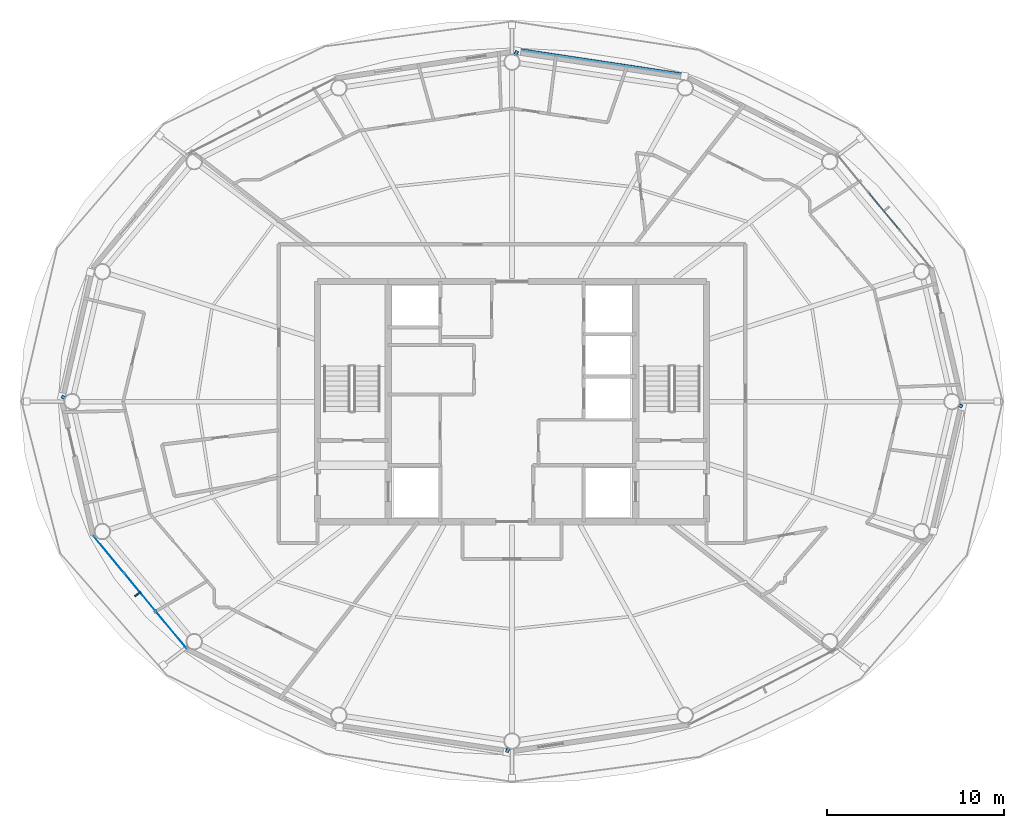
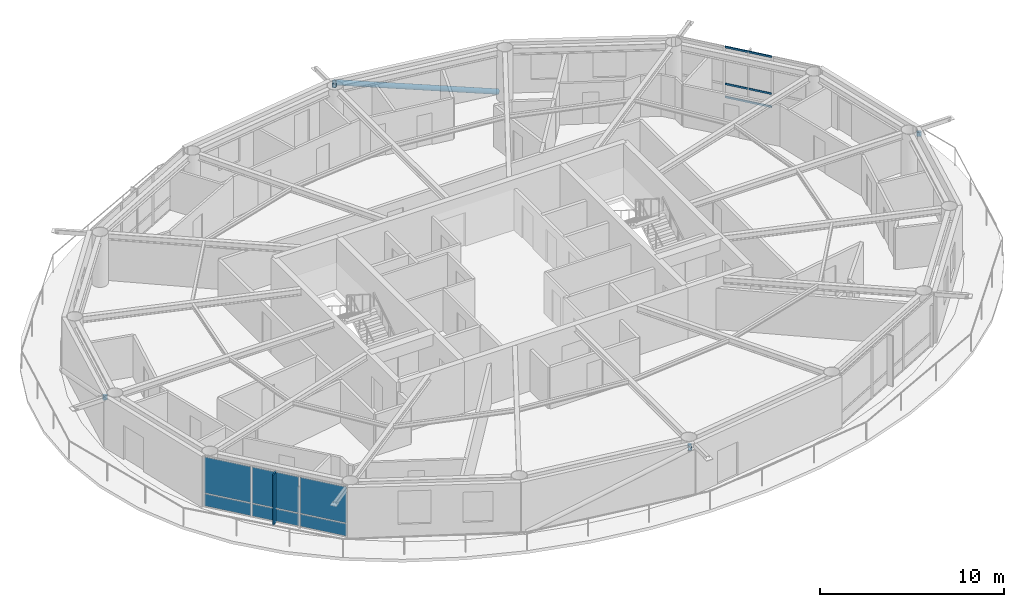
# One storey, part 12 of 22: 8 members, 7 plates, 2 elements without a shape of their own.
"""IFC4 building model written with IfcOpenShell, lengths in metres."""

import ifcopenshell
import ifcopenshell.guid

model = None  # the IFC model being written
_history = None  # IfcOwnerHistory: only IFC2X3 demands one
_inside = {}  # id of a spatial element -> (the spatial element, [elements in it])
_under = {}  # id of a project, library or spatial element -> (it, [spatial elements below it])
_declared = {}  # id of a project -> (the project, [libraries it declares])
_typed = {}  # id of a type object -> (the type object, [elements of that type])
_made_of = {}  # id of a material, layer set ... -> (it, [elements and type objects made of it])


def new_model(schema):
    """Start an empty IFC model of exactly this schema.

    Asked for "IFC4X3", IfcOpenShell would pick the latest addendum, in which some entities
    have other attributes; the version numbers below select the first issue.
    IFC2X3 requires an IfcOwnerHistory on every rooted entity: one is made here for all.
    """
    global model, _history
    if schema == "IFC4X3":
        model = ifcopenshell.file(schema_version=(4, 3, 0, 0))
    else:
        model = ifcopenshell.file(schema=schema)
    _inside.clear()
    _under.clear()
    _declared.clear()
    _typed.clear()
    _made_of.clear()
    _history = None
    if model.schema == "IFC2X3":
        org = make("IfcOrganization", Name="unknown")
        user = make(
            "IfcPersonAndOrganization",
            ThePerson=make("IfcPerson", FamilyName="unknown"),
            TheOrganization=org,
        )
        app = make(
            "IfcApplication",
            ApplicationDeveloper=org,
            Version="unknown",
            ApplicationFullName="unknown",
            ApplicationIdentifier="unknown",
        )
        _history = make(
            "IfcOwnerHistory",
            OwningUser=user,
            OwningApplication=app,
            ChangeAction="ADDED",
            CreationDate=0,
        )
    return model


def make(cls, **values):
    """One entity of the class cls with the attributes given. An attribute that is None is left unset."""
    return model.create_entity(
        cls, **{name: value for name, value in values.items() if value is not None}
    )


def rooted(cls, **values):
    """An entity with a GlobalId (a new one), such as an element, a storey or a relation."""
    return make(cls, GlobalId=ifcopenshell.guid.new(), OwnerHistory=_history, **values)


def si_unit(unit_type, name, prefix=None):
    """IfcSIUnit, for example si_unit("LENGTHUNIT", "METRE", prefix="MILLI")."""
    return make("IfcSIUnit", UnitType=unit_type, Prefix=prefix, Name=name)


def assignment(units):
    """IfcUnitAssignment: the units of a project."""
    return None if units is None else make("IfcUnitAssignment", Units=units)


def point(xyz):
    """IfcCartesianPoint."""
    return None if xyz is None else make("IfcCartesianPoint", Coordinates=xyz)


def direction(xyz):
    """IfcDirection."""
    return None if xyz is None else make("IfcDirection", DirectionRatios=xyz)


def frame(location, z_axis=None, x_axis=None):
    """IfcAxis2Placement3D, a coordinate frame: its origin and axes. An axis left out is left unset."""
    return make(
        "IfcAxis2Placement3D",
        Location=point(location),
        Axis=direction(z_axis),
        RefDirection=direction(x_axis),
    )


def frame_2d(location, x_axis=None):
    """IfcAxis2Placement2D, a coordinate frame in the plane: its origin and x axis."""
    return make(
        "IfcAxis2Placement2D", Location=point(location), RefDirection=direction(x_axis)
    )


def origin():
    """The frame at (0, 0, 0) with its axes left unset."""
    return frame((0.0, 0.0, 0.0))


def origin_2d():
    """The frame at (0, 0) in the plane with its x axis left unset."""
    return frame_2d((0.0, 0.0))


def place(relative_to, where):
    """IfcLocalPlacement: puts the frame where relative to a parent placement (None: the world)."""
    return make(
        "IfcLocalPlacement", PlacementRelTo=relative_to, RelativePlacement=where
    )


def context(
    kind, dimensions, precision=None, world=None, true_north=None, identifier=None
):
    """IfcGeometricRepresentationContext, for example the 3D "Model" context."""
    return make(
        "IfcGeometricRepresentationContext",
        ContextIdentifier=identifier,
        ContextType=kind,
        CoordinateSpaceDimension=dimensions,
        Precision=precision,
        WorldCoordinateSystem=world,
        TrueNorth=true_north,
    )


def subcontext(parent, identifier, kind, view, scale=None):
    """IfcGeometricRepresentationSubContext, for example "Body" below "Model"."""
    return make(
        "IfcGeometricRepresentationSubContext",
        ContextIdentifier=identifier,
        ContextType=kind,
        ParentContext=parent,
        TargetScale=scale,
        TargetView=view,
    )


def project(units=None, contexts=None):
    """IfcProject with its units and contexts."""
    return rooted(
        "IfcProject",
        Name="project",
        RepresentationContexts=contexts,
        UnitsInContext=assignment(units),
    )


def spatial(cls, under=None, at=None, **own):
    """A site, building, storey or space (cls), placed at a placement, below another one or the project."""
    s = rooted(cls, ObjectPlacement=at, **own)
    if under is not None:
        _under.setdefault(under.id(), (under, []))[1].append(s)
    return s


def profile(cls, at=None, kind="AREA", **sizes):
    """A parametric profile (cls). Its sizes go by their IFC names, for example OverallWidth=200.0."""
    return make(cls, ProfileType=kind, Position=at, **sizes)


def rectangle(**sizes):
    """IfcRectangleProfileDef."""
    return profile("IfcRectangleProfileDef", **sizes)


def hollow_rectangle(**sizes):
    """IfcRectangleHollowProfileDef."""
    return profile("IfcRectangleHollowProfileDef", **sizes)


def hollow_circle(**sizes):
    """IfcCircleHollowProfileDef."""
    return profile("IfcCircleHollowProfileDef", **sizes)


def extrude(swept, where, along, depth):
    """IfcExtrudedAreaSolid: the profile swept, set in the frame where, extruded along a direction by depth."""
    return make(
        "IfcExtrudedAreaSolid",
        SweptArea=swept,
        Position=where,
        ExtrudedDirection=direction(along),
        Depth=depth,
    )


def shape(context_of_items, identifier, shape_type, items):
    """IfcShapeRepresentation: the items that make up one representation, for example the "Body"."""
    return make(
        "IfcShapeRepresentation",
        ContextOfItems=context_of_items,
        RepresentationIdentifier=identifier,
        RepresentationType=shape_type,
        Items=items,
    )


def material(Name=None, Category=None):
    """IfcMaterial."""
    return make("IfcMaterial", Name=Name, Category=Category)


def layer(
    of_material, thickness, ventilated=None, Name=None, Category=None, Priority=None
):
    """IfcMaterialLayer: one layer of a wall or slab, of a material (None: an air gap)."""
    return make(
        "IfcMaterialLayer",
        Material=of_material,
        LayerThickness=thickness,
        IsVentilated=ventilated,
        Name=Name,
        Category=Category,
        Priority=Priority,
    )


def layer_set(layers, Name=None):
    """IfcMaterialLayerSet."""
    return make("IfcMaterialLayerSet", MaterialLayers=layers, LayerSetName=Name)


def material_profile(
    of_material, cross_section, Name=None, Category=None, Priority=None
):
    """IfcMaterialProfile: a cross section and its material."""
    return make(
        "IfcMaterialProfile",
        Name=Name,
        Material=of_material,
        Profile=cross_section,
        Priority=Priority,
        Category=Category,
    )


def profile_set(profiles, Name=None, composite=None):
    """IfcMaterialProfileSet."""
    return make(
        "IfcMaterialProfileSet",
        Name=Name,
        MaterialProfiles=profiles,
        CompositeProfile=composite,
    )


def made_of(thing, what):
    """Note that an element or type object is made of a material, layer set ...; save() writes the relation."""
    if what is not None:
        _made_of.setdefault(what.id(), (what, []))[1].append(thing)
    return thing


def type_object(cls, material=None, **own):
    """A type object (cls), such as IfcWallType, which elements share."""
    return made_of(rooted(cls, **own), material)


def element(
    cls,
    number,
    at=None,
    inside=None,
    cuts=None,
    type_object=None,
    material=None,
    context=None,
    identifier="Body",
    shape_type=None,
    held_by="IfcProductDefinitionShape",
    body=None,
    shapes=None,
    **own,
):
    """One element of the class cls, such as IfcWall. Its Tag is "e" and its number.

    at: its placement. inside: the storey or other place that contains it. cuts: it is an
    opening in that element (IfcRelVoidsElement). A single representation is given by context,
    identifier, shape_type and body (its items); several are given by shapes. held_by: the class
    of the entity that holds the representations. save() writes the other relations.
    """
    e = rooted(cls, Tag="e%d" % number, ObjectPlacement=at, **own)
    if body is not None:
        shapes = [shape(context, identifier, shape_type, body)]
    if shapes is not None:
        e.Representation = make(held_by, Representations=shapes)
    if inside is not None:
        _inside.setdefault(inside.id(), (inside, []))[1].append(e)
    if cuts is not None:
        rooted(
            "IfcRelVoidsElement", RelatingBuildingElement=cuts, RelatedOpeningElement=e
        )
    if type_object is not None:
        _typed.setdefault(type_object.id(), (type_object, []))[1].append(e)
    return made_of(e, material)


def aggregate(whole, parts):
    """IfcRelAggregates: a whole, such as a stair, and the parts it consists of."""
    return rooted("IfcRelAggregates", RelatingObject=whole, RelatedObjects=parts)


def save(model, path):
    """Write the relations noted so far, then the file.

    IfcRelAggregates (storeys below a building ...), IfcRelContainedInSpatialStructure (elements
    in a storey), IfcRelDefinesByType, IfcRelAssociatesMaterial and IfcRelDeclares: one each for
    every whole, place, type object, material and project.
    """
    for whole, parts in _under.values():
        aggregate(whole, parts)
    for where, things in _inside.values():
        rooted(
            "IfcRelContainedInSpatialStructure",
            RelatedElements=things,
            RelatingStructure=where,
        )
    for kind, things in _typed.values():
        rooted("IfcRelDefinesByType", RelatedObjects=things, RelatingType=kind)
    for what, things in _made_of.values():
        rooted("IfcRelAssociatesMaterial", RelatedObjects=things, RelatingMaterial=what)
    for by, libraries in _declared.values():
        rooted("IfcRelDeclares", RelatingContext=by, RelatedDefinitions=libraries)
    model.write(path)


model = new_model("IFC4")

# Units and contexts
model_context = context("Model", 3, precision=1e-05, world=origin(), true_north=direction((0.0, 1.0)))
body_context = subcontext(model_context, "Body", "Model", "MODEL_VIEW")
ifc_project = project(units=[si_unit("LENGTHUNIT", "METRE"), si_unit("AREAUNIT", "SQUARE_METRE"), si_unit("VOLUMEUNIT", "CUBIC_METRE"), si_unit("PLANEANGLEUNIT", "RADIAN"), si_unit("MASSUNIT", "GRAM", prefix="KILO")], contexts=[model_context])

# Site, building, storey
site_placement = place(None, origin())
site = spatial("IfcSite", under=ifc_project, at=site_placement, CompositionType="ELEMENT")
building_placement = place(site_placement, origin())
building = spatial("IfcBuilding", under=site, at=building_placement, Name="Sarneth Arch Tower", CompositionType="ELEMENT")
storey_placement = place(building_placement, frame((0.0, 0.0, 301.800048828125)))
storey = spatial("IfcBuildingStorey", under=building, at=storey_placement, Name="L78", CompositionType="ELEMENT", Elevation=301.800048828125)

# Curtain wall, members
ifc_material_1 = material(Name="Anodised aluminium Type AA25 and solar-control low-e laminated IGU", Category="aluminium")
ifc_layer_1 = layer(ifc_material_1, 0.179931640625)
ifc_layer_set_1 = layer_set([ifc_layer_1], Name="Anodised aluminium Type AA25 and solar-control low-e laminated IGU")
curtain_wall_type = type_object("IfcCurtainWallType", Name="CW-RES-HIGH", PredefinedType="NOTDEFINED", material=ifc_layer_set_1)
curtain_wall_1_placement = place(storey_placement, origin())
curtain_wall_1 = element("IfcCurtainWall", 1, at=curtain_wall_1_placement, inside=storey, type_object=curtain_wall_type, Name="L78 Unitised curtain wall facet 02", PredefinedType="NOTDEFINED")
ifc_material_2 = material(Name="Anodised Aluminium 6063-T6", Category="aluminium")
ifc_material_profile_1 = material_profile(ifc_material_2, hollow_rectangle(XDim=0.06005859375, YDim=0.1201171875, WallThickness=0.00390625, at=origin_2d()), Name="AL-TRAN-120x60x4")
ifc_profile_set_1 = profile_set([ifc_material_profile_1], Name="Anodised Aluminium 6063-T6")
member_type_1 = type_object("IfcMemberType", Name="CW-TRANSOM", PredefinedType="USERDEFINED", material=ifc_profile_set_1)
member_1_placement = place(storey_placement, frame((69.904296875, 51.731689453125, 0.030029296875), z_axis=(-0.637617371902, 0.770353222261, 0.0), x_axis=(-0.770353222261, -0.637617371902, 0.0)))
member_1 = element("IfcMember", 2, at=member_1_placement, type_object=member_type_1, Name="CW-SYS-6 transom 2.1", ObjectType="TRANSOM", PredefinedType="USERDEFINED", context=body_context, shape_type="SweptSolid", body=[
    extrude(hollow_rectangle(XDim=0.06005859375, YDim=0.1201171875, WallThickness=0.00390625, at=origin_2d()), origin(), (0.0, 0.0, 1.0), 2.716552734375),
])
member_2_placement = place(storey_placement, frame((69.904296875, 51.731689453125, 0.89990234375), z_axis=(-0.637617371902, 0.770353222261, 0.0), x_axis=(-0.770353222261, -0.637617371902, 0.0)))
member_2 = element("IfcMember", 3, at=member_2_placement, type_object=member_type_1, Name="CW-SYS-6 transom 2.2", ObjectType="TRANSOM", PredefinedType="USERDEFINED", context=body_context, shape_type="SweptSolid", body=[
    extrude(hollow_rectangle(XDim=0.06005859375, YDim=0.1201171875, WallThickness=0.00390625, at=origin_2d()), origin(), (0.0, 0.0, 1.0), 2.716552734375),
])
member_3_placement = place(storey_placement, frame((69.904296875, 51.731689453125, 3.33984375), z_axis=(-0.637617371902, 0.770353222261, 0.0), x_axis=(-0.770353222261, -0.637617371902, 0.0)))
member_3 = element("IfcMember", 4, at=member_3_placement, type_object=member_type_1, Name="CW-SYS-6 transom 2.3", ObjectType="TRANSOM", PredefinedType="USERDEFINED", context=body_context, shape_type="SweptSolid", body=[
    extrude(hollow_rectangle(XDim=0.06005859375, YDim=0.1201171875, WallThickness=0.00390625, at=origin_2d()), origin(), (0.0, 0.0, 1.0), 2.716552734375),
])
aggregate(curtain_wall_1, [member_1, member_2, member_3])

# Members
ifc_material_3 = material(Name="Steel S355", Category="steel")
ifc_material_profile_2 = material_profile(ifc_material_3, hollow_rectangle(XDim=0.199951171875, YDim=0.300048828125, WallThickness=0.012451171875, InnerFilletRadius=0.018798828125, OuterFilletRadius=0.03125, at=origin_2d()), Name="RHS300x200x12.5")
ifc_profile_set_2 = profile_set([ifc_material_profile_2], Name="Steel S355")
member_type_2 = type_object("IfcMemberType", Name="MEM-CANT-STRUT", PredefinedType="STRUT", material=ifc_profile_set_2)
member_4_placement = place(storey_placement, frame((48.17138671875, 61.56689453125, 3.092041015625), z_axis=(0.422659932572, 0.906288354443, 0.0), x_axis=(-0.906288354443, 0.422659932572, 0.0)))
element("IfcMember", 5, at=member_4_placement, inside=storey, type_object=member_type_2, Name="L78 Exoskeleton brace node strut 04B", PredefinedType="STRUT", context=body_context, shape_type="SweptSolid", body=[
    extrude(hollow_rectangle(XDim=0.199951171875, YDim=0.300048828125, WallThickness=0.012451171875, InnerFilletRadius=0.018798828125, OuterFilletRadius=0.03125, at=origin_2d()), origin(), (0.0, 0.0, 1.0), 0.29638671875),
])
member_5_placement = place(storey_placement, frame((22.75341796875, 42.178955078125, 3.092041015625), z_axis=(-0.897077765426, 0.441872699743, 0.0), x_axis=(-0.441872699743, -0.897077765426, 0.0)))
element("IfcMember", 6, at=member_5_placement, inside=storey, type_object=member_type_2, Name="L78 Exoskeleton brace node strut 08B", PredefinedType="STRUT", context=body_context, shape_type="SweptSolid", body=[
    extrude(hollow_rectangle(XDim=0.199951171875, YDim=0.300048828125, WallThickness=0.012451171875, InnerFilletRadius=0.018798828125, OuterFilletRadius=0.03125, at=origin_2d()), origin(), (0.0, 0.0, 1.0), 0.25634765625),
])
member_6_placement = place(storey_placement, frame((47.82861328125, 22.43310546875, 3.092041015625), z_axis=(-0.422659932572, -0.906288354443, 0.0), x_axis=(0.906288354443, -0.422659932572, 0.0)))
element("IfcMember", 7, at=member_6_placement, inside=storey, type_object=member_type_2, Name="L78 Exoskeleton brace node strut 12B", PredefinedType="STRUT", context=body_context, shape_type="SweptSolid", body=[
    extrude(hollow_rectangle(XDim=0.199951171875, YDim=0.300048828125, WallThickness=0.012451171875, InnerFilletRadius=0.018798828125, OuterFilletRadius=0.03125, at=origin_2d()), origin(), (0.0, 0.0, 1.0), 0.29638671875),
])
member_7_placement = place(storey_placement, frame((73.24658203125, 41.821044921875, 3.092041015625), z_axis=(0.897077765426, -0.441872699743, 0.0), x_axis=(0.441872699743, 0.897077765426, 0.0)))
element("IfcMember", 8, at=member_7_placement, inside=storey, type_object=member_type_2, Name="L78 Exoskeleton brace node strut 16B", PredefinedType="STRUT", context=body_context, shape_type="SweptSolid", body=[
    extrude(hollow_rectangle(XDim=0.199951171875, YDim=0.300048828125, WallThickness=0.012451171875, InnerFilletRadius=0.018798828125, OuterFilletRadius=0.03125, at=origin_2d()), origin(), (0.0, 0.0, 1.0), 0.25634765625),
])
ifc_material_4 = material(Name="Steel S355", Category="steel")
ifc_material_profile_3 = material_profile(ifc_material_4, hollow_circle(Radius=0.162109375, WallThickness=0.012451171875, at=origin_2d()), Name="CHS324x12.5")
ifc_profile_set_3 = profile_set([ifc_material_profile_3], Name="Steel S355")
member_type_3 = type_object("IfcMemberType", Name="MEM-DIAG-BR3", PredefinedType="BRACE", material=ifc_profile_set_3)
member_8_placement = place(storey_placement, frame((57.754150390625, 60.411376953125, 0.02001953125), z_axis=(-0.941478053537, 0.141763681302, 0.305813886821), x_axis=(-0.148897148305, -0.988852688335, 0.0)))
element("IfcMember", 9, at=member_8_placement, inside=storey, type_object=member_type_3, Name="L78 Perimeter frame diagonal 04", PredefinedType="BRACE", context=body_context, shape_type="SweptSolid", body=[
    extrude(hollow_circle(Radius=0.162109375, WallThickness=0.012451171875, at=origin_2d()), origin(), (0.0, 0.0, 1.0), 10.04541015625),
])

# Curtain wall, plates
curtain_wall_2_placement = place(storey_placement, origin())
curtain_wall_2 = element("IfcCurtainWall", 10, at=curtain_wall_2_placement, inside=storey, type_object=curtain_wall_type, Name="L78 Unitised curtain wall facet 10", PredefinedType="NOTDEFINED")
ifc_material_5 = material(Name="Solar-control low-e laminated IGU", Category="glass")
ifc_layer_2 = layer(ifc_material_5, 0.028076171875)
ifc_layer_set_2 = layer_set([ifc_layer_2], Name="Solar-control low-e laminated IGU")
plate_type_1 = type_object("IfcPlateType", Name="CW-PANEL", PredefinedType="CURTAIN_PANEL", material=ifc_layer_set_2)
plate_1_placement = place(storey_placement, frame((25.200927734375, 33.349365234375, 0.059814453125), z_axis=(0.0, 0.0, 1.0), x_axis=(0.637610094184, -0.770359245933, 0.0)))
plate_1 = element("IfcPlate", 11, at=plate_1_placement, type_object=plate_type_1, Name="Curtain wall glazed vision pane CW-L78-F10/P00-00", PredefinedType="CURTAIN_PANEL", context=body_context, shape_type="SweptSolid", body=[
    extrude(rectangle(XDim=2.686767578125, YDim=0.028076171875, at=origin_2d()), origin(), (0.0, 0.0, 1.0), 0.81005859375),
])
plate_2_placement = place(storey_placement, frame((25.200927734375, 33.349365234375, 0.929931640625), z_axis=(0.0, 0.0, 1.0), x_axis=(0.637610094184, -0.770359245933, 0.0)))
plate_2 = element("IfcPlate", 12, at=plate_2_placement, type_object=plate_type_1, Name="Curtain wall glazed vision pane CW-L78-F10/P00-01", PredefinedType="CURTAIN_PANEL", context=body_context, shape_type="SweptSolid", body=[
    extrude(rectangle(XDim=2.686767578125, YDim=0.028076171875, at=origin_2d()), origin(), (0.0, 0.0, 1.0), 2.3798828125),
])
plate_3_placement = place(storey_placement, frame((26.9619140625, 31.221923828125, 0.059814453125), z_axis=(0.0, 0.0, 1.0), x_axis=(0.637610094184, -0.770359245933, 0.0)))
plate_3 = element("IfcPlate", 13, at=plate_3_placement, type_object=plate_type_1, Name="Curtain wall glazed vision pane CW-L78-F10/P01-00", PredefinedType="CURTAIN_PANEL", context=body_context, shape_type="SweptSolid", body=[
    extrude(rectangle(XDim=2.716552734375, YDim=0.028076171875, at=origin_2d()), origin(), (0.0, 0.0, 1.0), 0.81005859375),
])
plate_4_placement = place(storey_placement, frame((26.9619140625, 31.221923828125, 0.929931640625), z_axis=(0.0, 0.0, 1.0), x_axis=(0.637610094184, -0.770359245933, 0.0)))
plate_4 = element("IfcPlate", 14, at=plate_4_placement, type_object=plate_type_1, Name="Curtain wall glazed vision pane CW-L78-F10/P01-01", PredefinedType="CURTAIN_PANEL", context=body_context, shape_type="SweptSolid", body=[
    extrude(rectangle(XDim=2.716552734375, YDim=0.028076171875, at=origin_2d()), origin(), (0.0, 0.0, 1.0), 2.3798828125),
])
plate_5_placement = place(storey_placement, frame((28.72265625, 29.094482421875, 0.059814453125), z_axis=(0.0, 0.0, 1.0), x_axis=(0.637610094184, -0.770359245933, 0.0)))
plate_5 = element("IfcPlate", 15, at=plate_5_placement, type_object=plate_type_1, Name="Curtain wall glazed vision pane CW-L78-F10/P02-00", PredefinedType="CURTAIN_PANEL", context=body_context, shape_type="SweptSolid", body=[
    extrude(rectangle(XDim=2.686767578125, YDim=0.028076171875, at=origin_2d()), origin(), (0.0, 0.0, 1.0), 0.81005859375),
])
plate_6_placement = place(storey_placement, frame((28.72265625, 29.094482421875, 0.929931640625), z_axis=(0.0, 0.0, 1.0), x_axis=(0.637610094184, -0.770359245933, 0.0)))
plate_6 = element("IfcPlate", 16, at=plate_6_placement, type_object=plate_type_1, Name="Curtain wall glazed vision pane CW-L78-F10/P02-01", PredefinedType="CURTAIN_PANEL", context=body_context, shape_type="SweptSolid", body=[
    extrude(rectangle(XDim=2.686767578125, YDim=0.028076171875, at=origin_2d()), origin(), (0.0, 0.0, 1.0), 2.3798828125),
])
aggregate(curtain_wall_2, [plate_1, plate_2, plate_3, plate_4, plate_5, plate_6])

# Plate
ifc_material_6 = material(Name="Extruded glazed terracotta baguette fin on Aluminium 6063-T6 carrier", Category="masonry")
ifc_layer_3 = layer(ifc_material_6, 0.080078125)
ifc_layer_set_3 = layer_set([ifc_layer_3], Name="Extruded glazed terracotta baguette fin on Aluminium 6063-T6 carrier")
plate_type_2 = type_object("IfcPlateType", Name="SHADE-TERRA-FIN", PredefinedType="SHEET", material=ifc_layer_set_3)
plate_7_placement = place(storey_placement, frame((26.830810546875, 31.113525390625, 0.010009765625), z_axis=(0.0, 0.0, 1.0), x_axis=(-0.770401979567, -0.63755845997, 0.0)))
element("IfcPlate", 17, at=plate_7_placement, inside=storey, type_object=plate_type_2, Name="L78 Terracotta vertical shading fin 10", PredefinedType="SHEET", context=body_context, shape_type="SweptSolid", body=[
    extrude(rectangle(XDim=0.419921875, YDim=0.080078125, at=origin_2d()), origin(), (0.0, 0.0, 1.0), 3.35009765625),
])

save(model, "model.ifc")
